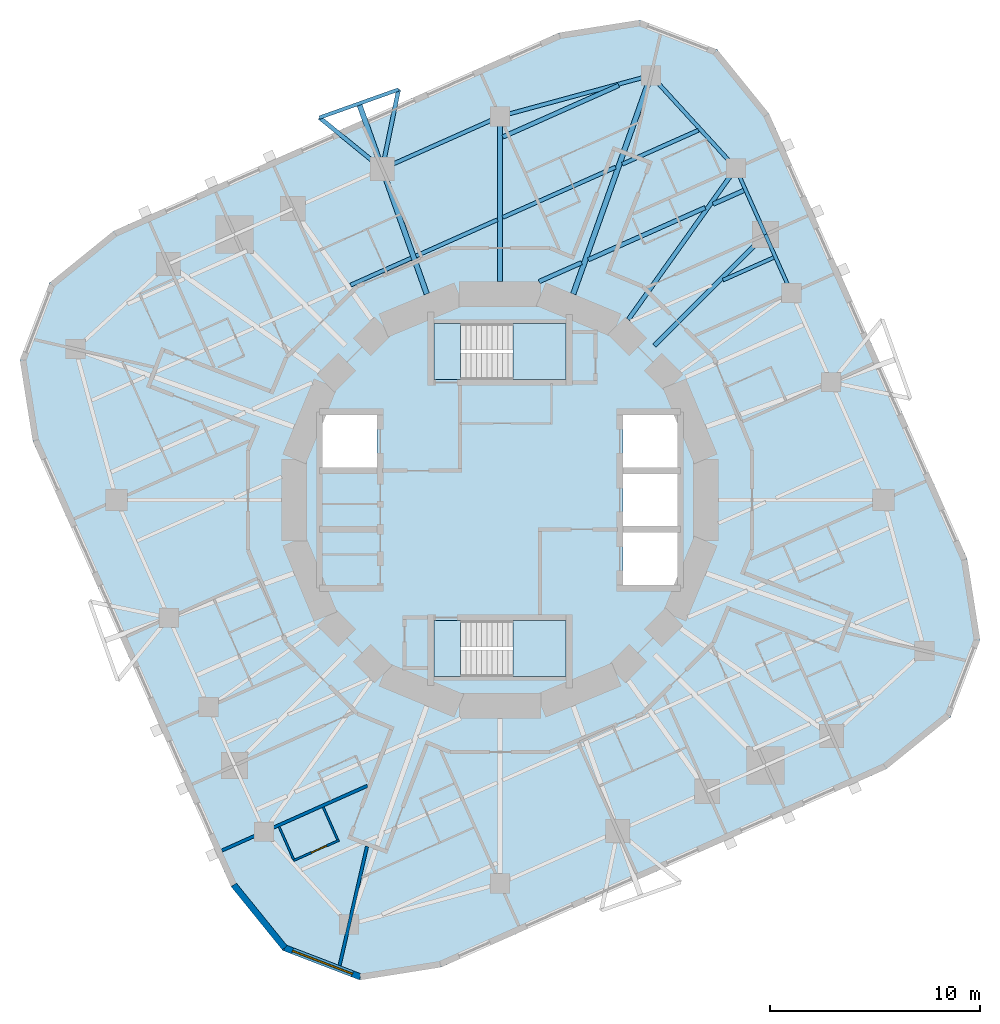
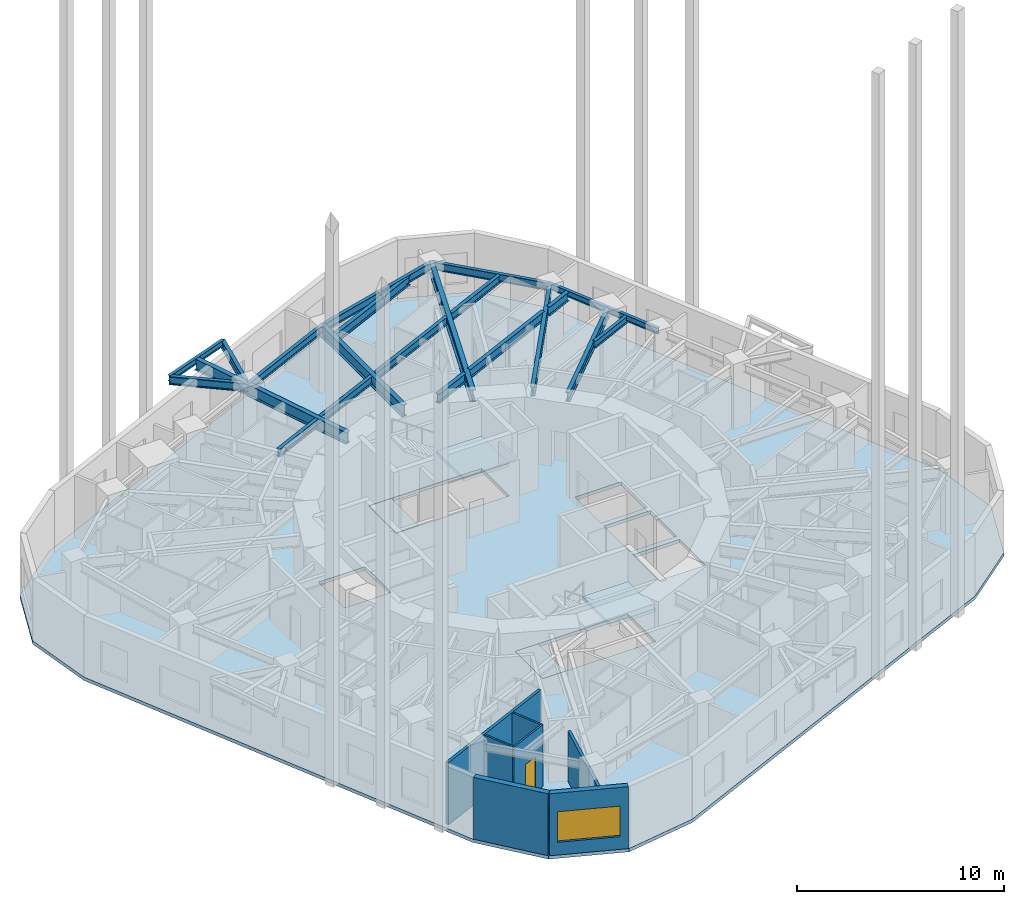
# One storey, part 3 of 11: 22 beams, 7 walls, 5 slabs, 1 door, 1 window, 2 openings, 2 elements without a shape of their own.
"""IFC4 building model written with IfcOpenShell, lengths in metres."""

import ifcopenshell
import ifcopenshell.guid

model = None  # the IFC model being written
_history = None  # IfcOwnerHistory: only IFC2X3 demands one
_inside = {}  # id of a spatial element -> (the spatial element, [elements in it])
_under = {}  # id of a project, library or spatial element -> (it, [spatial elements below it])
_declared = {}  # id of a project -> (the project, [libraries it declares])
_typed = {}  # id of a type object -> (the type object, [elements of that type])
_made_of = {}  # id of a material, layer set ... -> (it, [elements and type objects made of it])


def new_model(schema):
    """Start an empty IFC model of exactly this schema.

    Asked for "IFC4X3", IfcOpenShell would pick the latest addendum, in which some entities
    have other attributes; the version numbers below select the first issue.
    IFC2X3 requires an IfcOwnerHistory on every rooted entity: one is made here for all.
    """
    global model, _history
    if schema == "IFC4X3":
        model = ifcopenshell.file(schema_version=(4, 3, 0, 0))
    else:
        model = ifcopenshell.file(schema=schema)
    _inside.clear()
    _under.clear()
    _declared.clear()
    _typed.clear()
    _made_of.clear()
    _history = None
    if model.schema == "IFC2X3":
        org = make("IfcOrganization", Name="unknown")
        user = make(
            "IfcPersonAndOrganization",
            ThePerson=make("IfcPerson", FamilyName="unknown"),
            TheOrganization=org,
        )
        app = make(
            "IfcApplication",
            ApplicationDeveloper=org,
            Version="unknown",
            ApplicationFullName="unknown",
            ApplicationIdentifier="unknown",
        )
        _history = make(
            "IfcOwnerHistory",
            OwningUser=user,
            OwningApplication=app,
            ChangeAction="ADDED",
            CreationDate=0,
        )
    return model


def make(cls, **values):
    """One entity of the class cls with the attributes given. An attribute that is None is left unset."""
    return model.create_entity(
        cls, **{name: value for name, value in values.items() if value is not None}
    )


def rooted(cls, **values):
    """An entity with a GlobalId (a new one), such as an element, a storey or a relation."""
    return make(cls, GlobalId=ifcopenshell.guid.new(), OwnerHistory=_history, **values)


def si_unit(unit_type, name, prefix=None):
    """IfcSIUnit, for example si_unit("LENGTHUNIT", "METRE", prefix="MILLI")."""
    return make("IfcSIUnit", UnitType=unit_type, Prefix=prefix, Name=name)


def assignment(units):
    """IfcUnitAssignment: the units of a project."""
    return None if units is None else make("IfcUnitAssignment", Units=units)


def point(xyz):
    """IfcCartesianPoint."""
    return None if xyz is None else make("IfcCartesianPoint", Coordinates=xyz)


def direction(xyz):
    """IfcDirection."""
    return None if xyz is None else make("IfcDirection", DirectionRatios=xyz)


def frame(location, z_axis=None, x_axis=None):
    """IfcAxis2Placement3D, a coordinate frame: its origin and axes. An axis left out is left unset."""
    return make(
        "IfcAxis2Placement3D",
        Location=point(location),
        Axis=direction(z_axis),
        RefDirection=direction(x_axis),
    )


def frame_2d(location, x_axis=None):
    """IfcAxis2Placement2D, a coordinate frame in the plane: its origin and x axis."""
    return make(
        "IfcAxis2Placement2D", Location=point(location), RefDirection=direction(x_axis)
    )


def origin():
    """The frame at (0, 0, 0) with its axes left unset."""
    return frame((0.0, 0.0, 0.0))


def origin_2d():
    """The frame at (0, 0) in the plane with its x axis left unset."""
    return frame_2d((0.0, 0.0))


def place(relative_to, where):
    """IfcLocalPlacement: puts the frame where relative to a parent placement (None: the world)."""
    return make(
        "IfcLocalPlacement", PlacementRelTo=relative_to, RelativePlacement=where
    )


def context(
    kind, dimensions, precision=None, world=None, true_north=None, identifier=None
):
    """IfcGeometricRepresentationContext, for example the 3D "Model" context."""
    return make(
        "IfcGeometricRepresentationContext",
        ContextIdentifier=identifier,
        ContextType=kind,
        CoordinateSpaceDimension=dimensions,
        Precision=precision,
        WorldCoordinateSystem=world,
        TrueNorth=true_north,
    )


def subcontext(parent, identifier, kind, view, scale=None):
    """IfcGeometricRepresentationSubContext, for example "Body" below "Model"."""
    return make(
        "IfcGeometricRepresentationSubContext",
        ContextIdentifier=identifier,
        ContextType=kind,
        ParentContext=parent,
        TargetScale=scale,
        TargetView=view,
    )


def project(units=None, contexts=None):
    """IfcProject with its units and contexts."""
    return rooted(
        "IfcProject",
        Name="project",
        RepresentationContexts=contexts,
        UnitsInContext=assignment(units),
    )


def spatial(cls, under=None, at=None, **own):
    """A site, building, storey or space (cls), placed at a placement, below another one or the project."""
    s = rooted(cls, ObjectPlacement=at, **own)
    if under is not None:
        _under.setdefault(under.id(), (under, []))[1].append(s)
    return s


def polyline(points):
    """IfcPolyline through the points."""
    return make("IfcPolyline", Points=[point(p) for p in points])


def profile(cls, at=None, kind="AREA", **sizes):
    """A parametric profile (cls). Its sizes go by their IFC names, for example OverallWidth=200.0."""
    return make(cls, ProfileType=kind, Position=at, **sizes)


def rectangle(**sizes):
    """IfcRectangleProfileDef."""
    return profile("IfcRectangleProfileDef", **sizes)


def i_section(**sizes):
    """IfcIShapeProfileDef."""
    return profile("IfcIShapeProfileDef", **sizes)


def outline(outer, holes=None, kind="AREA"):
    """IfcArbitraryClosedProfileDef: a profile drawn as a closed curve; with holes, ...WithVoids."""
    if holes is None:
        return make("IfcArbitraryClosedProfileDef", ProfileType=kind, OuterCurve=outer)
    return make(
        "IfcArbitraryProfileDefWithVoids",
        ProfileType=kind,
        OuterCurve=outer,
        InnerCurves=holes,
    )


def extrude(swept, where, along, depth):
    """IfcExtrudedAreaSolid: the profile swept, set in the frame where, extruded along a direction by depth."""
    return make(
        "IfcExtrudedAreaSolid",
        SweptArea=swept,
        Position=where,
        ExtrudedDirection=direction(along),
        Depth=depth,
    )


def shape(context_of_items, identifier, shape_type, items):
    """IfcShapeRepresentation: the items that make up one representation, for example the "Body"."""
    return make(
        "IfcShapeRepresentation",
        ContextOfItems=context_of_items,
        RepresentationIdentifier=identifier,
        RepresentationType=shape_type,
        Items=items,
    )


def material(Name=None, Category=None):
    """IfcMaterial."""
    return make("IfcMaterial", Name=Name, Category=Category)


def layer(
    of_material, thickness, ventilated=None, Name=None, Category=None, Priority=None
):
    """IfcMaterialLayer: one layer of a wall or slab, of a material (None: an air gap)."""
    return make(
        "IfcMaterialLayer",
        Material=of_material,
        LayerThickness=thickness,
        IsVentilated=ventilated,
        Name=Name,
        Category=Category,
        Priority=Priority,
    )


def layer_set(layers, Name=None):
    """IfcMaterialLayerSet."""
    return make("IfcMaterialLayerSet", MaterialLayers=layers, LayerSetName=Name)


def material_profile(
    of_material, cross_section, Name=None, Category=None, Priority=None
):
    """IfcMaterialProfile: a cross section and its material."""
    return make(
        "IfcMaterialProfile",
        Name=Name,
        Material=of_material,
        Profile=cross_section,
        Priority=Priority,
        Category=Category,
    )


def profile_set(profiles, Name=None, composite=None):
    """IfcMaterialProfileSet."""
    return make(
        "IfcMaterialProfileSet",
        Name=Name,
        MaterialProfiles=profiles,
        CompositeProfile=composite,
    )


def made_of(thing, what):
    """Note that an element or type object is made of a material, layer set ...; save() writes the relation."""
    if what is not None:
        _made_of.setdefault(what.id(), (what, []))[1].append(thing)
    return thing


def type_object(cls, material=None, **own):
    """A type object (cls), such as IfcWallType, which elements share."""
    return made_of(rooted(cls, **own), material)


def element(
    cls,
    number,
    at=None,
    inside=None,
    cuts=None,
    type_object=None,
    material=None,
    context=None,
    identifier="Body",
    shape_type=None,
    held_by="IfcProductDefinitionShape",
    body=None,
    shapes=None,
    **own,
):
    """One element of the class cls, such as IfcWall. Its Tag is "e" and its number.

    at: its placement. inside: the storey or other place that contains it. cuts: it is an
    opening in that element (IfcRelVoidsElement). A single representation is given by context,
    identifier, shape_type and body (its items); several are given by shapes. held_by: the class
    of the entity that holds the representations. save() writes the other relations.
    """
    e = rooted(cls, Tag="e%d" % number, ObjectPlacement=at, **own)
    if body is not None:
        shapes = [shape(context, identifier, shape_type, body)]
    if shapes is not None:
        e.Representation = make(held_by, Representations=shapes)
    if inside is not None:
        _inside.setdefault(inside.id(), (inside, []))[1].append(e)
    if cuts is not None:
        rooted(
            "IfcRelVoidsElement", RelatingBuildingElement=cuts, RelatedOpeningElement=e
        )
    if type_object is not None:
        _typed.setdefault(type_object.id(), (type_object, []))[1].append(e)
    return made_of(e, material)


def fill(opening, filler):
    """IfcRelFillsElement: the door or window that sits in an opening."""
    return rooted(
        "IfcRelFillsElement",
        RelatingOpeningElement=opening,
        RelatedBuildingElement=filler,
    )


def aggregate(whole, parts):
    """IfcRelAggregates: a whole, such as a stair, and the parts it consists of."""
    return rooted("IfcRelAggregates", RelatingObject=whole, RelatedObjects=parts)


def save(model, path):
    """Write the relations noted so far, then the file.

    IfcRelAggregates (storeys below a building ...), IfcRelContainedInSpatialStructure (elements
    in a storey), IfcRelDefinesByType, IfcRelAssociatesMaterial and IfcRelDeclares: one each for
    every whole, place, type object, material and project.
    """
    for whole, parts in _under.values():
        aggregate(whole, parts)
    for where, things in _inside.values():
        rooted(
            "IfcRelContainedInSpatialStructure",
            RelatedElements=things,
            RelatingStructure=where,
        )
    for kind, things in _typed.values():
        rooted("IfcRelDefinesByType", RelatedObjects=things, RelatingType=kind)
    for what, things in _made_of.values():
        rooted("IfcRelAssociatesMaterial", RelatedObjects=things, RelatingMaterial=what)
    for by, libraries in _declared.values():
        rooted("IfcRelDeclares", RelatingContext=by, RelatedDefinitions=libraries)
    model.write(path)


model = new_model("IFC4")

# Units and contexts
model_context = context("Model", 3, precision=1e-05, world=origin(), true_north=direction((0.0, 1.0)))
body_context = subcontext(model_context, "Body", "Model", "MODEL_VIEW")
ifc_project = project(units=[si_unit("LENGTHUNIT", "METRE"), si_unit("AREAUNIT", "SQUARE_METRE"), si_unit("VOLUMEUNIT", "CUBIC_METRE"), si_unit("PLANEANGLEUNIT", "RADIAN"), si_unit("MASSUNIT", "GRAM", prefix="KILO")], contexts=[model_context])

# Site, building, storey
site_placement = place(None, origin())
site = spatial("IfcSite", under=ifc_project, at=site_placement, CompositionType="ELEMENT")
building_placement = place(site_placement, origin())
building = spatial("IfcBuilding", under=site, at=building_placement, Name="Nakasero Lantern House", CompositionType="ELEMENT")
storey_placement = place(building_placement, frame((0.0, 0.0, 182.449951171875)))
storey = spatial("IfcBuildingStorey", under=building, at=storey_placement, Name="L44", CompositionType="ELEMENT", Elevation=182.449951171875)

# Beams
ifc_material_1 = material(Name="Steel S355", Category="steel")
ifc_material_profile_1 = material_profile(ifc_material_1, i_section(OverallWidth=0.199462890625, OverallDepth=0.491943359375, WebThickness=0.01806640625, FlangeThickness=0.031982421875, FilletRadius=0.01025390625, at=origin_2d()), Name="UB 457x191x161")
ifc_profile_set_1 = profile_set([ifc_material_profile_1], Name="Steel S355")
beam_type_1 = type_object("IfcBeamType", Name="Balcony splay beam UB 457x191x161", PredefinedType="BEAM", material=ifc_profile_set_1)
beam_1_placement = place(storey_placement, frame((-5.611328125, 15.781982421875, 3.404052734375), z_axis=(-0.774833215206, 0.632165712937, 0.0), x_axis=(-0.632165712937, -0.774833215206, 0.0)))
element("IfcBeam", 1, at=beam_1_placement, inside=storey, type_object=beam_type_1, Name="Balcony splay beam L45 B5-C10A", PredefinedType="BEAM", context=body_context, shape_type="SweptSolid", body=[
    extrude(i_section(OverallWidth=0.199462890625, OverallDepth=0.491943359375, WebThickness=0.01806640625, FlangeThickness=0.031982421875, FilletRadius=0.01025390625, at=origin_2d()), origin(), (0.0, 0.0, 1.0), 3.85888671875),
])
beam_2_placement = place(storey_placement, frame((-5.611328125, 15.781982421875, 3.404052734375), z_axis=(0.201831438605, 0.979420272605, 0.0), x_axis=(-0.979420272605, 0.201831438605, 0.0)))
element("IfcBeam", 2, at=beam_2_placement, inside=storey, type_object=beam_type_1, Name="Balcony splay beam L45 B5-C10B", PredefinedType="BEAM", context=body_context, shape_type="SweptSolid", body=[
    extrude(i_section(OverallWidth=0.199462890625, OverallDepth=0.491943359375, WebThickness=0.01806640625, FlangeThickness=0.031982421875, FilletRadius=0.01025390625, at=origin_2d()), origin(), (0.0, 0.0, 1.0), 3.858642578125),
])
ifc_material_2 = material(Name="Steel S355", Category="steel")
ifc_material_profile_2 = material_profile(ifc_material_2, i_section(OverallWidth=0.17138671875, OverallDepth=0.35498046875, WebThickness=0.00732421875, FlangeThickness=0.011474609375, FilletRadius=0.01025390625, at=origin_2d()), Name="UB 356x171x51")
ifc_profile_set_2 = profile_set([ifc_material_profile_2], Name="Steel S355")
beam_type_2 = type_object("IfcBeamType", Name="Balcony tie beam UB 356x171x51", PredefinedType="BEAM", material=ifc_profile_set_2)
beam_3_placement = place(storey_placement, frame((-8.601318359375, 18.221435546875, 3.47265625), z_axis=(0.94222839004, 0.334971134582, 0.0), x_axis=(-0.334971134582, 0.94222839004, 0.0)))
element("IfcBeam", 3, at=beam_3_placement, inside=storey, type_object=beam_type_2, Name="Balcony tie beam L45 B5-C10", PredefinedType="BEAM", context=body_context, shape_type="SweptSolid", body=[
    extrude(i_section(OverallWidth=0.17138671875, OverallDepth=0.35498046875, WebThickness=0.00732421875, FlangeThickness=0.011474609375, FilletRadius=0.01025390625, at=origin_2d()), origin(), (0.0, 0.0, 1.0), 4.0),
])
ifc_material_3 = material(Name="Steel S355", Category="steel")
ifc_material_profile_3 = material_profile(ifc_material_3, i_section(OverallWidth=0.177978515625, OverallDepth=0.406494140625, WebThickness=0.0078125, FlangeThickness=0.0126953125, FilletRadius=0.01025390625, at=origin_2d()), Name="UB 406x178x60")
ifc_profile_set_3 = profile_set([ifc_material_profile_3], Name="Steel S355")
beam_type_3 = type_object("IfcBeamType", Name="Infill beam UB 406x178x60", PredefinedType="JOIST", material=ifc_profile_set_3)
beam_4_placement = place(storey_placement, frame((10.626708984375, 10.47802734375, 3.44677734375), z_axis=(0.913529602849, 0.406772251658, 0.0), x_axis=(-0.406772251658, 0.913529602849, 0.0)))
element("IfcBeam", 4, at=beam_4_placement, inside=storey, type_object=beam_type_3, Name="Infill beam L45 09.4", PredefinedType="JOIST", context=body_context, shape_type="SweptSolid", body=[
    extrude(i_section(OverallWidth=0.177978515625, OverallDepth=0.406494140625, WebThickness=0.0078125, FlangeThickness=0.0126953125, FilletRadius=0.01025390625, at=origin_2d()), origin(), (0.0, 0.0, 1.0), 2.64453125),
])
ifc_material_4 = material(Name="Steel S355", Category="steel")
ifc_material_profile_4 = material_profile(ifc_material_4, i_section(OverallWidth=0.18994140625, OverallDepth=0.453369140625, WebThickness=0.008544921875, FlangeThickness=0.0126953125, FilletRadius=0.01025390625, at=origin_2d()), Name="UB 457x191x67")
ifc_profile_set_4 = profile_set([ifc_material_profile_4], Name="Steel S355")
beam_type_4 = type_object("IfcBeamType", Name="Infill beam UB 457x191x67", PredefinedType="JOIST", material=ifc_profile_set_4)
beam_5_placement = place(storey_placement, frame((-7.124267578125, 10.2373046875, 3.42333984375), z_axis=(0.913537828269, 0.406753778497, 0.0), x_axis=(-0.406753778497, 0.913537828269, 0.0)))
element("IfcBeam", 5, at=beam_5_placement, inside=storey, type_object=beam_type_4, Name="Infill beam L45 11.5", PredefinedType="JOIST", context=body_context, shape_type="SweptSolid", body=[
    extrude(i_section(OverallWidth=0.18994140625, OverallDepth=0.453369140625, WebThickness=0.008544921875, FlangeThickness=0.0126953125, FilletRadius=0.01025390625, at=origin_2d()), origin(), (0.0, 0.0, 1.0), 3.16552734375),
])
beam_6_placement = place(storey_placement, frame((-4.0, 11.62841796875, 3.42333984375), z_axis=(0.913547765637, 0.406731459196, 0.0), x_axis=(-0.406731459196, 0.913547765637, 0.0)))
element("IfcBeam", 6, at=beam_6_placement, inside=storey, type_object=beam_type_4, Name="Infill beam L45 11.6", PredefinedType="JOIST", context=body_context, shape_type="SweptSolid", body=[
    extrude(i_section(OverallWidth=0.18994140625, OverallDepth=0.453369140625, WebThickness=0.008544921875, FlangeThickness=0.0126953125, FilletRadius=0.01025390625, at=origin_2d()), origin(), (0.0, 0.0, 1.0), 4.239501953125),
])
beam_7_placement = place(storey_placement, frame((0.126953125, 13.4658203125, 3.42333984375), z_axis=(0.913539401307, 0.406750245556, 0.0), x_axis=(-0.406750245556, 0.913539401307, 0.0)))
element("IfcBeam", 7, at=beam_7_placement, inside=storey, type_object=beam_type_4, Name="Infill beam L45 11.7", PredefinedType="JOIST", context=body_context, shape_type="SweptSolid", body=[
    extrude(i_section(OverallWidth=0.18994140625, OverallDepth=0.453369140625, WebThickness=0.008544921875, FlangeThickness=0.0126953125, FilletRadius=0.01025390625, at=origin_2d()), origin(), (0.0, 0.0, 1.0), 5.886474609375),
])
beam_8_placement = place(storey_placement, frame((5.824462890625, 16.00244140625, 3.42333984375), z_axis=(0.91354552237, 0.406736497695, 0.0), x_axis=(-0.406736497695, 0.91354552237, 0.0)))
element("IfcBeam", 8, at=beam_8_placement, inside=storey, type_object=beam_type_4, Name="Infill beam L45 11.8", PredefinedType="JOIST", context=body_context, shape_type="SweptSolid", body=[
    extrude(i_section(OverallWidth=0.18994140625, OverallDepth=0.453369140625, WebThickness=0.008544921875, FlangeThickness=0.0126953125, FilletRadius=0.01025390625, at=origin_2d()), origin(), (0.0, 0.0, 1.0), 3.9765625),
])
ifc_material_5 = material(Name="Steel S355", Category="steel")
ifc_material_profile_5 = material_profile(ifc_material_5, i_section(OverallWidth=0.2099609375, OverallDepth=0.53662109375, WebThickness=0.0107421875, FlangeThickness=0.017333984375, FilletRadius=0.0126953125, at=origin_2d()), Name="UB 533x210x101")
ifc_profile_set_5 = profile_set([ifc_material_profile_5], Name="Steel S355")
beam_type_5 = type_object("IfcBeamType", Name="Infill beam UB 533x210x101", PredefinedType="JOIST", material=ifc_profile_set_5)
beam_9_placement = place(storey_placement, frame((0.126953125, 17.297119140625, 3.381591796875), z_axis=(0.913548718281, 0.406729319483, 0.0), x_axis=(-0.406729319483, 0.913548718281, 0.0)))
element("IfcBeam", 9, at=beam_9_placement, inside=storey, type_object=beam_type_5, Name="Infill beam L45 12.3", PredefinedType="JOIST", context=body_context, shape_type="SweptSolid", body=[
    extrude(i_section(OverallWidth=0.2099609375, OverallDepth=0.53662109375, WebThickness=0.0107421875, FlangeThickness=0.017333984375, FilletRadius=0.0126953125, at=origin_2d()), origin(), (0.0, 0.0, 1.0), 6.056640625),
])
ifc_material_6 = material(Name="Steel S355", Category="steel")
ifc_material_profile_6 = material_profile(ifc_material_6, i_section(OverallWidth=0.208740234375, OverallDepth=0.5283203125, WebThickness=0.009521484375, FlangeThickness=0.01318359375, FilletRadius=0.0126953125, at=origin_2d()), Name="UB 533x210x82")
ifc_profile_set_6 = profile_set([ifc_material_profile_6], Name="Steel S355")
beam_type_6 = type_object("IfcBeamType", Name="Infill beam UB 533x210x82", PredefinedType="JOIST", material=ifc_profile_set_6)
beam_10_placement = place(storey_placement, frame((1.86376953125, 10.407958984375, 3.385986328125), z_axis=(0.913538457968, 0.406752364238, 0.0), x_axis=(-0.406752364238, 0.913538457968, 0.0)))
element("IfcBeam", 10, at=beam_10_placement, inside=storey, type_object=beam_type_6, Name="Infill beam L45 10.3", PredefinedType="JOIST", context=body_context, shape_type="SweptSolid", body=[
    extrude(i_section(OverallWidth=0.208740234375, OverallDepth=0.5283203125, WebThickness=0.009521484375, FlangeThickness=0.01318359375, FilletRadius=0.0126953125, at=origin_2d()), origin(), (0.0, 0.0, 1.0), 2.213623046875),
])
beam_11_placement = place(storey_placement, frame((4.2060546875, 11.45068359375, 3.385986328125), z_axis=(0.913537341067, 0.406754872713, 0.0), x_axis=(-0.406754872713, 0.913537341067, 0.0)))
element("IfcBeam", 11, at=beam_11_placement, inside=storey, type_object=beam_type_6, Name="Infill beam L45 10.4", PredefinedType="JOIST", context=body_context, shape_type="SweptSolid", body=[
    extrude(i_section(OverallWidth=0.208740234375, OverallDepth=0.5283203125, WebThickness=0.009521484375, FlangeThickness=0.01318359375, FilletRadius=0.0126953125, at=origin_2d()), origin(), (0.0, 0.0, 1.0), 6.099365234375),
])
beam_12_placement = place(storey_placement, frame((10.155029296875, 14.099365234375, 3.385986328125), z_axis=(0.913522313414, 0.406788621884, 0.0), x_axis=(-0.406788621884, 0.913522313414, 0.0)))
element("IfcBeam", 12, at=beam_12_placement, inside=storey, type_object=beam_type_6, Name="Infill beam L45 10.5", PredefinedType="JOIST", context=body_context, shape_type="SweptSolid", body=[
    extrude(i_section(OverallWidth=0.208740234375, OverallDepth=0.5283203125, WebThickness=0.009521484375, FlangeThickness=0.01318359375, FilletRadius=0.0126953125, at=origin_2d()), origin(), (0.0, 0.0, 1.0), 1.6025390625),
])
ifc_material_7 = material(Name="Steel S355", Category="steel")
ifc_material_profile_7 = material_profile(ifc_material_7, i_section(OverallWidth=0.2099609375, OverallDepth=0.53662109375, WebThickness=0.0107421875, FlangeThickness=0.017333984375, FilletRadius=0.0126953125, at=origin_2d()), Name="UB 533x210x101")
ifc_profile_set_7 = profile_set([ifc_material_profile_7], Name="Steel S355")
beam_type_7 = type_object("IfcBeamType", Name="Primary beam UB 533x210x101, span 6 to 9 m", PredefinedType="BEAM", material=ifc_profile_set_7)
beam_13_placement = place(storey_placement, frame((12.64892578125, 12.64892578125, 3.381591796875), z_axis=(-0.707106781187, -0.707106781187, 0.0), x_axis=(0.707106781187, -0.707106781187, 0.0)))
element("IfcBeam", 13, at=beam_13_placement, inside=storey, type_object=beam_type_7, Name="Primary beam L45 B5-C06", PredefinedType="BEAM", context=body_context, shape_type="SweptSolid", body=[
    extrude(i_section(OverallWidth=0.2099609375, OverallDepth=0.53662109375, WebThickness=0.0107421875, FlangeThickness=0.017333984375, FilletRadius=0.0126953125, at=origin_2d()), origin(), (0.0, 0.0, 1.0), 7.48046875),
])
beam_14_placement = place(storey_placement, frame((11.241943359375, 15.808837890625, 3.381591796875), z_axis=(-0.579536824926, -0.814946052543, 0.0), x_axis=(0.814946052543, -0.579536824926, 0.0)))
element("IfcBeam", 14, at=beam_14_placement, inside=storey, type_object=beam_type_7, Name="Primary beam L45 B5-C07", PredefinedType="BEAM", context=body_context, shape_type="SweptSolid", body=[
    extrude(i_section(OverallWidth=0.2099609375, OverallDepth=0.53662109375, WebThickness=0.0107421875, FlangeThickness=0.017333984375, FilletRadius=0.0126953125, at=origin_2d()), origin(), (0.0, 0.0, 1.0), 8.84326171875),
])
ifc_material_8 = material(Name="Steel S355", Category="steel")
ifc_material_profile_8 = material_profile(ifc_material_8, i_section(OverallWidth=0.253662109375, OverallDepth=0.68359375, WebThickness=0.012451171875, FlangeThickness=0.01904296875, FilletRadius=0.01513671875, at=origin_2d()), Name="UB 686x254x140")
ifc_profile_set_8 = profile_set([ifc_material_profile_8], Name="Steel S355")
beam_type_8 = type_object("IfcBeamType", Name="Primary beam UB 686x254x140, span 6 to 9 m", PredefinedType="BEAM", material=ifc_profile_set_8)
beam_15_placement = place(storey_placement, frame((0.0, 18.280517578125, 3.308349609375), z_axis=(0.0, -1.0, 0.0), x_axis=(1.0, 0.0, 0.0)))
element("IfcBeam", 15, at=beam_15_placement, inside=storey, type_object=beam_type_8, Name="Primary beam L45 B5-C09", PredefinedType="BEAM", context=body_context, shape_type="SweptSolid", body=[
    extrude(i_section(OverallWidth=0.253662109375, OverallDepth=0.68359375, WebThickness=0.012451171875, FlangeThickness=0.01904296875, FilletRadius=0.01513671875, at=origin_2d()), origin(), (0.0, 0.0, 1.0), 7.87255859375),
])
beam_16_placement = place(storey_placement, frame((-6.717041015625, 18.891357421875, 3.308349609375), z_axis=(0.335030177005, -0.942207397814, 0.0), x_axis=(0.942207397814, 0.335030177005, 0.0)))
element("IfcBeam", 16, at=beam_16_placement, inside=storey, type_object=beam_type_8, Name="Primary beam L45 B5-C10", PredefinedType="BEAM", context=body_context, shape_type="SweptSolid", body=[
    extrude(i_section(OverallWidth=0.253662109375, OverallDepth=0.68359375, WebThickness=0.012451171875, FlangeThickness=0.01904296875, FilletRadius=0.01513671875, at=origin_2d()), origin(), (0.0, 0.0, 1.0), 9.62841796875),
])
ifc_material_9 = material(Name="Steel S355", Category="steel")
ifc_material_profile_9 = material_profile(ifc_material_9, i_section(OverallWidth=0.253662109375, OverallDepth=0.68359375, WebThickness=0.012451171875, FlangeThickness=0.01904296875, FilletRadius=0.01513671875, at=origin_2d()), Name="UB 686x254x140")
ifc_profile_set_9 = profile_set([ifc_material_profile_9], Name="Steel S355")
beam_type_9 = type_object("IfcBeamType", Name="Primary beam UB 686x254x140, span 9 to 12 m", PredefinedType="BEAM", material=ifc_profile_set_9)
beam_17_placement = place(storey_placement, frame((7.19482421875, 20.2353515625, 3.308349609375), z_axis=(-0.335020995468, -0.942210662535, 0.0), x_axis=(0.942210662535, -0.335020995468, 0.0)))
element("IfcBeam", 17, at=beam_17_placement, inside=storey, type_object=beam_type_9, Name="Primary beam L45 B5-C08", PredefinedType="BEAM", context=body_context, shape_type="SweptSolid", body=[
    extrude(i_section(OverallWidth=0.253662109375, OverallDepth=0.68359375, WebThickness=0.012451171875, FlangeThickness=0.01904296875, FilletRadius=0.01513671875, at=origin_2d()), origin(), (0.0, 0.0, 1.0), 11.054931640625),
])
ifc_material_10 = material(Name="Steel S355", Category="steel")
ifc_material_profile_10 = material_profile(ifc_material_10, i_section(OverallWidth=0.17138671875, OverallDepth=0.35498046875, WebThickness=0.00732421875, FlangeThickness=0.011474609375, FilletRadius=0.01025390625, at=origin_2d()), Name="UB 356x171x51")
ifc_profile_set_10 = profile_set([ifc_material_profile_10], Name="Steel S355")
beam_type_10 = type_object("IfcBeamType", Name="Ring beam UB 356x171x51", PredefinedType="BEAM", material=ifc_profile_set_10)
beam_18_placement = place(storey_placement, frame((13.884521484375, 9.87353515625, 3.47265625), z_axis=(-0.40671251915, 0.913556197925, 0.0), x_axis=(-0.913556197925, -0.40671251915, 0.0)))
element("IfcBeam", 18, at=beam_18_placement, inside=storey, type_object=beam_type_10, Name="Ring beam L45 B5-C05", PredefinedType="BEAM", context=body_context, shape_type="SweptSolid", body=[
    extrude(i_section(OverallWidth=0.17138671875, OverallDepth=0.35498046875, WebThickness=0.00732421875, FlangeThickness=0.011474609375, FilletRadius=0.01025390625, at=origin_2d()), origin(), (0.0, 0.0, 1.0), 3.0380859375),
])
beam_19_placement = place(storey_placement, frame((12.64892578125, 12.64892578125, 3.47265625), z_axis=(-0.406760506795, 0.913534832457, 0.0), x_axis=(-0.913534832457, -0.406760506795, 0.0)))
element("IfcBeam", 19, at=beam_19_placement, inside=storey, type_object=beam_type_10, Name="Ring beam L45 B5-C06", PredefinedType="BEAM", context=body_context, shape_type="SweptSolid", body=[
    extrude(i_section(OverallWidth=0.17138671875, OverallDepth=0.35498046875, WebThickness=0.00732421875, FlangeThickness=0.011474609375, FilletRadius=0.01025390625, at=origin_2d()), origin(), (0.0, 0.0, 1.0), 3.458984375),
])
ifc_material_11 = material(Name="Steel S355", Category="steel")
ifc_material_profile_11 = material_profile(ifc_material_11, i_section(OverallWidth=0.18994140625, OverallDepth=0.453369140625, WebThickness=0.008544921875, FlangeThickness=0.0126953125, FilletRadius=0.01025390625, at=origin_2d()), Name="UB 457x191x67")
ifc_profile_set_11 = profile_set([ifc_material_profile_11], Name="Steel S355")
beam_type_11 = type_object("IfcBeamType", Name="Ring beam UB 457x191x67", PredefinedType="BEAM", material=ifc_profile_set_11)
beam_20_placement = place(storey_placement, frame((11.241943359375, 15.808837890625, 3.42333984375), z_axis=(-0.674771099966, 0.73802707447, 0.0), x_axis=(-0.73802707447, -0.674771099966, 0.0)))
element("IfcBeam", 20, at=beam_20_placement, inside=storey, type_object=beam_type_11, Name="Ring beam L45 B5-C07", PredefinedType="BEAM", context=body_context, shape_type="SweptSolid", body=[
    extrude(i_section(OverallWidth=0.18994140625, OverallDepth=0.453369140625, WebThickness=0.008544921875, FlangeThickness=0.0126953125, FilletRadius=0.01025390625, at=origin_2d()), origin(), (0.0, 0.0, 1.0), 5.997802734375),
])
beam_21_placement = place(storey_placement, frame((7.19482421875, 20.2353515625, 3.42333984375), z_axis=(-0.965015017941, -0.26219461312, 0.0), x_axis=(0.26219461312, -0.965015017941, 0.0)))
element("IfcBeam", 21, at=beam_21_placement, inside=storey, type_object=beam_type_11, Name="Ring beam L45 B5-C08", PredefinedType="BEAM", context=body_context, shape_type="SweptSolid", body=[
    extrude(i_section(OverallWidth=0.18994140625, OverallDepth=0.453369140625, WebThickness=0.008544921875, FlangeThickness=0.0126953125, FilletRadius=0.01025390625, at=origin_2d()), origin(), (0.0, 0.0, 1.0), 7.45556640625),
])
ifc_material_12 = material(Name="Steel S355", Category="steel")
ifc_material_profile_12 = material_profile(ifc_material_12, i_section(OverallWidth=0.19140625, OverallDepth=0.4599609375, WebThickness=0.010009765625, FlangeThickness=0.01611328125, FilletRadius=0.01025390625, at=origin_2d()), Name="UB 457x191x82")
ifc_profile_set_12 = profile_set([ifc_material_profile_12], Name="Steel S355")
beam_type_12 = type_object("IfcBeamType", Name="Ring beam UB 457x191x82", PredefinedType="BEAM", material=ifc_profile_set_12)
beam_22_placement = place(storey_placement, frame((0.0, 18.280517578125, 3.420166015625), z_axis=(-0.913532698569, -0.406765299215, 0.0), x_axis=(0.406765299215, -0.913532698569, 0.0)))
element("IfcBeam", 22, at=beam_22_placement, inside=storey, type_object=beam_type_12, Name="Ring beam L45 B5-C09", PredefinedType="BEAM", context=body_context, shape_type="SweptSolid", body=[
    extrude(i_section(OverallWidth=0.19140625, OverallDepth=0.4599609375, WebThickness=0.010009765625, FlangeThickness=0.01611328125, FilletRadius=0.01025390625, at=origin_2d()), origin(), (0.0, 0.0, 1.0), 6.142333984375),
])

# Slab
ifc_material_13 = material(Name="Concrete C35/45", Category="concrete")
ifc_layer_1 = layer(ifc_material_13, 0.199951171875)
ifc_layer_set_1 = layer_set([ifc_layer_1], Name="Composite floor slab 200")
slab_type_1 = type_object("IfcSlabType", Name="Composite floor slab 200", PredefinedType="FLOOR", material=ifc_layer_set_1)
slab_1_placement = place(storey_placement, frame((0.0, 0.0, -0.199951171875)))
element("IfcSlab", 23, at=slab_1_placement, inside=storey, type_object=slab_type_1, Name="Floor slab L44", PredefinedType="FLOOR", context=body_context, shape_type="SweptSolid", body=[
    extrude(outline(polyline([(12.822021484375, 18.406494140625), (10.34619140625, 21.4638671875), (6.67333984375, 22.87353515625), (2.787841796875, 22.25830078125), (-18.406494140625, 12.822021484375), (-21.4638671875, 10.34619140625), (-22.87353515625, 6.67333984375), (-22.25830078125, 2.787841796875), (-12.822021484375, -18.406494140625), (-10.34619140625, -21.4638671875), (-6.67333984375, -22.87353515625), (-2.787841796875, -22.25830078125), (18.406494140625, -12.822021484375), (21.4638671875, -10.34619140625), (22.87353515625, -6.67333984375), (22.25830078125, -2.787841796875), (12.822021484375, 18.406494140625)]), holes=[polyline([(-8.449951171875, 1.550048828125), (-5.85009765625, 1.550048828125), (-5.85009765625, 4.050048828125), (-8.449951171875, 4.050048828125), (-8.449951171875, 1.550048828125)]), polyline([(5.85009765625, -4.050048828125), (8.449951171875, -4.050048828125), (8.449951171875, -1.550048828125), (5.85009765625, -1.550048828125), (5.85009765625, -4.050048828125)]), polyline([(5.85009765625, -1.25), (8.449951171875, -1.25), (8.449951171875, 1.25), (5.85009765625, 1.25), (5.85009765625, -1.25)]), polyline([(5.85009765625, 1.550048828125), (8.449951171875, 1.550048828125), (8.449951171875, 4.050048828125), (5.85009765625, 4.050048828125), (5.85009765625, 1.550048828125)]), polyline([(-3.14990234375, 5.75), (3.14990234375, 5.75), (3.14990234375, 8.39990234375), (-3.14990234375, 8.39990234375), (-3.14990234375, 5.75)]), polyline([(-3.14990234375, -8.39990234375), (3.14990234375, -8.39990234375), (3.14990234375, -5.75), (-3.14990234375, -5.75), (-3.14990234375, -8.39990234375)])]), origin(), (0.0, 0.0, 1.0), 0.199951171875),
])

# Stair, slabs
ifc_material_14 = material(Name="Concrete C40/50", Category="concrete")
stair_type_1 = type_object("IfcStairType", Name="Escape stair ST1 22 risers", PredefinedType="HALF_TURN_STAIR", material=ifc_material_14)
stair_1_placement = place(storey_placement, origin())
stair_1 = element("IfcStair", 24, at=stair_1_placement, inside=storey, type_object=stair_type_1, Name="Escape stair ST1 L44", PredefinedType="HALF_TURN_STAIR")
ifc_material_15 = material(Name="Concrete C40/50", Category="concrete")
ifc_layer_2 = layer(ifc_material_15, 0.199951171875)
ifc_layer_set_2 = layer_set([ifc_layer_2], Name="Stair landing 200")
slab_type_2 = type_object("IfcSlabType", Name="Stair landing 200", PredefinedType="LANDING", material=ifc_layer_set_2)
slab_2_placement = place(storey_placement, frame((0.0, 0.0, -0.199951171875)))
slab_2 = element("IfcSlab", 25, at=slab_2_placement, type_object=slab_type_2, Name="ST1 landing 1", PredefinedType="LANDING", context=body_context, shape_type="SweptSolid", body=[
    extrude(outline(polyline([(-3.14990234375, 5.75), (-1.875, 5.75), (-1.875, 8.39990234375), (-3.14990234375, 8.39990234375), (-3.14990234375, 5.75)])), origin(), (0.0, 0.0, 1.0), 0.199951171875),
])
slab_3_placement = place(storey_placement, frame((0.0, 0.0, 1.72509765625)))
slab_3 = element("IfcSlab", 26, at=slab_3_placement, type_object=slab_type_2, Name="ST1 landing 2", PredefinedType="LANDING", context=body_context, shape_type="SweptSolid", body=[
    extrude(outline(polyline([(0.625, 5.75), (3.14990234375, 5.75), (3.14990234375, 8.39990234375), (0.625, 8.39990234375), (0.625, 5.75)])), origin(), (0.0, 0.0, 1.0), 0.199951171875),
])
aggregate(stair_1, [slab_2, slab_3])

ifc_material_16 = material(Name="Concrete C40/50", Category="concrete")
stair_type_2 = type_object("IfcStairType", Name="Escape stair ST2 22 risers", PredefinedType="HALF_TURN_STAIR", material=ifc_material_16)
stair_2_placement = place(storey_placement, origin())
stair_2 = element("IfcStair", 27, at=stair_2_placement, inside=storey, type_object=stair_type_2, Name="Escape stair ST2 L44", PredefinedType="HALF_TURN_STAIR")
slab_4_placement = place(storey_placement, frame((0.0, 0.0, -0.199951171875)))
slab_4 = element("IfcSlab", 28, at=slab_4_placement, type_object=slab_type_2, Name="ST2 landing 1", PredefinedType="LANDING", context=body_context, shape_type="SweptSolid", body=[
    extrude(outline(polyline([(-3.14990234375, -8.39990234375), (-1.875, -8.39990234375), (-1.875, -5.75), (-3.14990234375, -5.75), (-3.14990234375, -8.39990234375)])), origin(), (0.0, 0.0, 1.0), 0.199951171875),
])
slab_5_placement = place(storey_placement, frame((0.0, 0.0, 1.72509765625)))
slab_5 = element("IfcSlab", 29, at=slab_5_placement, type_object=slab_type_2, Name="ST2 landing 2", PredefinedType="LANDING", context=body_context, shape_type="SweptSolid", body=[
    extrude(outline(polyline([(0.625, -8.39990234375), (3.14990234375, -8.39990234375), (3.14990234375, -5.75), (0.625, -5.75), (0.625, -8.39990234375)])), origin(), (0.0, 0.0, 1.0), 0.199951171875),
])
aggregate(stair_2, [slab_4, slab_5])

# Wall, opening, door
ifc_material_17 = material(Name="Blockwork", Category="masonry")
ifc_layer_3 = layer(ifc_material_17, 0.10009765625)
ifc_layer_set_3 = layer_set([ifc_layer_3], Name="En-suite wall 100")
wall_type_1 = type_object("IfcWallType", Name="En-suite wall 100", PredefinedType="PARTITIONING", material=ifc_layer_set_3)
wall_1_placement = place(storey_placement, frame((-7.66748046875, -16.215087890625, 0.0), z_axis=(0.0, 0.0, 1.0), x_axis=(-0.913530294257, -0.40677069889, 0.0)))
wall_1 = element("IfcWall", 30, at=wall_1_placement, inside=storey, type_object=wall_type_1, Name="En-suite wall L44 ES2-06", PredefinedType="PARTITIONING", context=body_context, shape_type="SweptSolid", body=[
    extrude(rectangle(XDim=2.400146484375, YDim=0.10009765625, at=frame_2d((1.2001953125, 0.0))), origin(), (0.0, 0.0, 1.0), 3.650146484375),
])
opening_1_placement = place(wall_1_placement, frame((0.64990234375, 0.0, 0.0)))
opening_1 = element("IfcOpeningElement", 31, at=opening_1_placement, cuts=wall_1, Name="Opening D02", PredefinedType="OPENING", context=body_context, shape_type="SweptSolid", body=[
    extrude(rectangle(XDim=0.800048828125, YDim=2.10009765625, at=frame_2d((0.39990234375, 1.050048828125))), frame((0.0, 0.070068359375, 0.0), z_axis=(0.0, -1.0, 0.0), x_axis=(1.0, 0.0, 0.0)), (0.0, 0.0, 1.0), 0.14013671875),
])
ifc_material_18 = material(Name="Timber C24", Category="wood")
door_type = type_object("IfcDoorType", Name="En-suite door 800", OperationType="SINGLE_SWING_RIGHT", PredefinedType="DOOR", material=ifc_material_18)
door_placement = place(opening_1_placement, origin())
door = element("IfcDoor", 32, at=door_placement, inside=storey, type_object=door_type, Name="Door L44 DE2-06", OperationType="SINGLE_SWING_LEFT", OverallHeight=2.10009765625, OverallWidth=0.800048828125, PredefinedType="DOOR", context=body_context, shape_type="SweptSolid", body=[
    extrude(rectangle(XDim=0.800048828125, YDim=2.10009765625, at=frame_2d((0.39990234375, 1.050048828125))), frame((0.0, 0.02490234375, 0.0), z_axis=(0.0, -1.0, 0.0), x_axis=(1.0, 0.0, 0.0)), (0.0, 0.0, 1.0), 0.050048828125),
])
fill(opening_1, door)

# Walls
wall_2_placement = place(storey_placement, frame((-10.526123046875, -15.572265625, 0.0), z_axis=(0.0, 0.0, 1.0), x_axis=(0.406724697108, -0.913550776237, 0.0)))
element("IfcWall", 33, at=wall_2_placement, inside=storey, type_object=wall_type_1, Name="En-suite wall L44 EE2-06", PredefinedType="PARTITIONING", context=body_context, shape_type="SweptSolid", body=[
    extrude(rectangle(XDim=1.699951171875, YDim=0.10009765625, at=frame_2d((0.85009765625, 0.0))), origin(), (0.0, 0.0, 1.0), 3.650146484375),
])
wall_3_placement = place(storey_placement, frame((-8.425048828125, -14.63671875, 0.0), z_axis=(0.0, 0.0, 1.0), x_axis=(0.406671340378, -0.91357452948, 0.0)))
element("IfcWall", 34, at=wall_3_placement, inside=storey, type_object=wall_type_1, Name="En-suite wall L44 EI2-06", PredefinedType="PARTITIONING", context=body_context, shape_type="SweptSolid", body=[
    extrude(rectangle(XDim=1.7001953125, YDim=0.10009765625, at=frame_2d((0.85009765625, 0.0))), origin(), (0.0, 0.0, 1.0), 3.650146484375),
])
ifc_material_19 = material(Name="Aluminium rainscreen on blockwork", Category="masonry")
ifc_layer_4 = layer(ifc_material_19, 0.300048828125)
ifc_layer_set_4 = layer_set([ifc_layer_4], Name="Facade wall 300")
wall_type_2 = type_object("IfcWallType", Name="Facade wall 300", PredefinedType="SOLIDWALL", material=ifc_layer_set_4)
wall_4_placement = place(storey_placement, frame((-12.684814453125, -18.345458984375, 0.0), z_axis=(0.0, 0.0, 1.0), x_axis=(0.629285642335, -0.777174099125, 0.0)))
element("IfcWall", 35, at=wall_4_placement, inside=storey, type_object=wall_type_2, Name="Facade wall L44 FW2C1", PredefinedType="SOLIDWALL", context=body_context, shape_type="SweptSolid", body=[
    extrude(rectangle(XDim=3.8564453125, YDim=0.300048828125, at=frame_2d((1.92822265625, 0.0))), origin(), (0.0, 0.0, 1.0), 3.650146484375),
])

# Wall, opening, window
wall_5_placement = place(storey_placement, frame((-10.258056640625, -21.342529296875, 0.0), z_axis=(0.0, 0.0, 1.0), x_axis=(0.933598278948, -0.358321438858, 0.0)))
wall_5 = element("IfcWall", 36, at=wall_5_placement, inside=storey, type_object=wall_type_2, Name="Facade wall L44 FW2C2", PredefinedType="SOLIDWALL", context=body_context, shape_type="SweptSolid", body=[
    extrude(rectangle(XDim=3.8564453125, YDim=0.300048828125, at=frame_2d((1.92822265625, 0.0))), origin(), (0.0, 0.0, 1.0), 3.650146484375),
])
opening_2_placement = place(wall_5_placement, frame((0.39990234375, 0.0, 0.75)))
opening_2 = element("IfcOpeningElement", 37, at=opening_2_placement, cuts=wall_5, Name="Opening W230", PredefinedType="OPENING", context=body_context, shape_type="SweptSolid", body=[
    extrude(rectangle(XDim=3.055908203125, YDim=1.800048828125, at=frame_2d((1.52783203125, 0.89990234375))), frame((0.0, 0.169921875, 0.0), z_axis=(0.0, -1.0, 0.0), x_axis=(1.0, 0.0, 0.0)), (0.0, 0.0, 1.0), 0.340087890625),
])
ifc_material_20 = material(Name="Aluminium 6063-T6 and glass", Category="aluminium")
window_type = type_object("IfcWindowType", Name="Corner window 3056x1800", PartitioningType="SINGLE_PANEL", PredefinedType="WINDOW", material=ifc_material_20)
window_placement = place(opening_2_placement, origin())
window = element("IfcWindow", 38, at=window_placement, inside=storey, type_object=window_type, Name="Window L44 WC2", OverallHeight=1.800048828125, OverallWidth=3.055908203125, PartitioningType="SINGLE_PANEL", PredefinedType="WINDOW", context=body_context, shape_type="SweptSolid", body=[
    extrude(rectangle(XDim=3.055908203125, YDim=1.800048828125, at=frame_2d((1.52783203125, 0.89990234375))), frame((0.0, 0.030029296875, 0.0), z_axis=(0.0, -1.0, 0.0), x_axis=(1.0, 0.0, 0.0)), (0.0, 0.0, 1.0), 0.06005859375),
])
fill(opening_2, window)

# Walls
ifc_material_21 = material(Name="Blockwork", Category="masonry")
ifc_layer_5 = layer(ifc_material_21, 0.14990234375)
ifc_layer_set_5 = layer_set([ifc_layer_5], Name="Party wall 150")
wall_type_3 = type_object("IfcWallType", Name="Party wall 150", PredefinedType="PARTITIONING", material=ifc_layer_set_5)
wall_6_placement = place(storey_placement, frame((-6.31982421875, -13.617431640625, 0.0), z_axis=(0.0, 0.0, 1.0), x_axis=(-0.913549977472, -0.406726491221, 0.0)))
element("IfcWall", 39, at=wall_6_placement, inside=storey, type_object=wall_type_3, Name="Party wall L44 PW2-06", PredefinedType="PARTITIONING", context=body_context, shape_type="SweptSolid", body=[
    extrude(rectangle(XDim=7.587890625, YDim=0.14990234375, at=frame_2d((3.7939453125, 0.0))), origin(), (0.0, 0.0, 1.0), 3.650146484375),
])
wall_7_placement = place(storey_placement, frame((-6.335205078125, -16.503662109375, 0.0), z_axis=(0.0, 0.0, 1.0), x_axis=(-0.224476872244, -0.974479416831, 0.0)))
element("IfcWall", 40, at=wall_7_placement, inside=storey, type_object=wall_type_3, Name="Party wall L44 PW3-00", PredefinedType="PARTITIONING", context=body_context, shape_type="SweptSolid", body=[
    extrude(rectangle(XDim=5.8251953125, YDim=0.14990234375, at=frame_2d((2.91259765625, 0.0))), origin(), (0.0, 0.0, 1.0), 2.966552734375),
])

save(model, "model.ifc")
